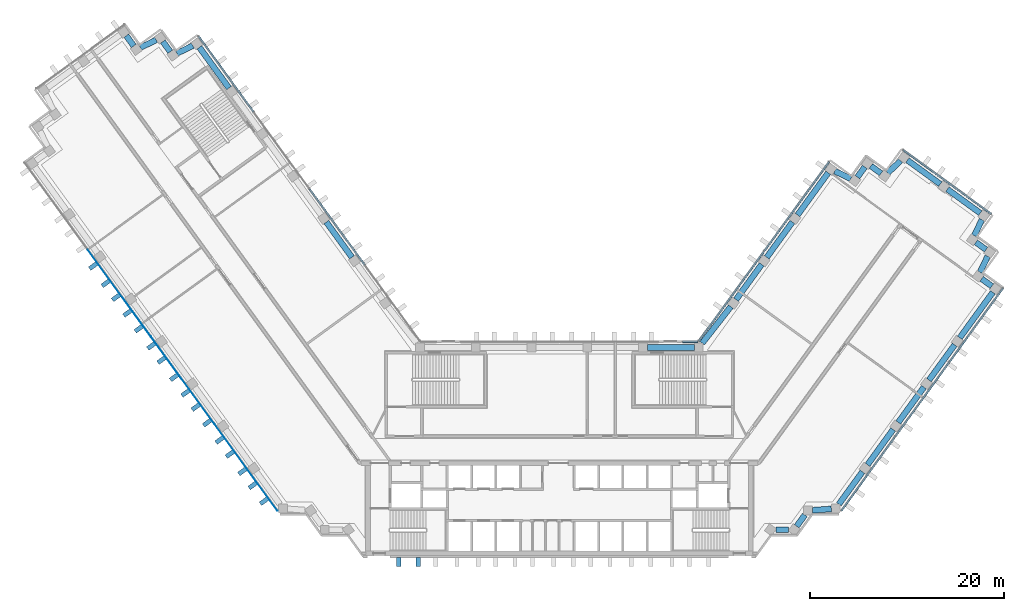
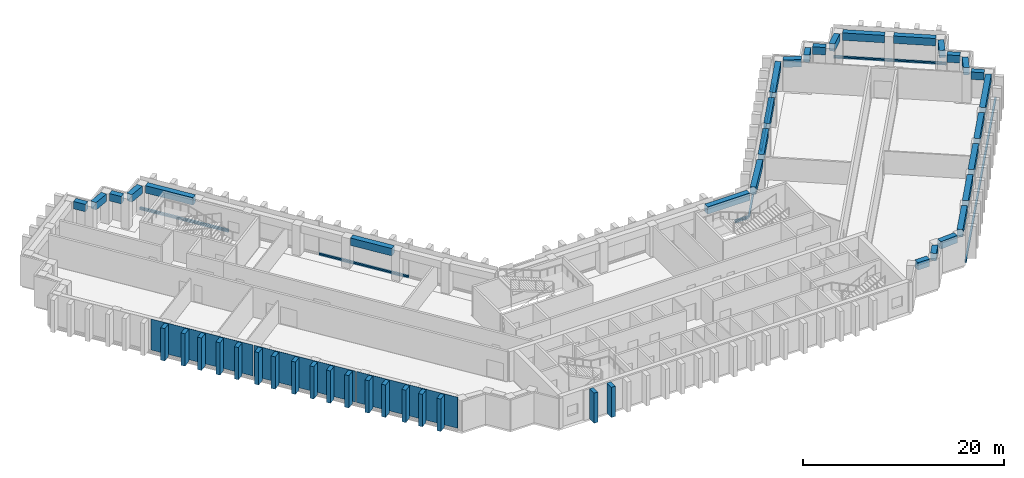
"""IFC4 building model written with IfcOpenShell, lengths in metres."""

from ifc_helpers import new_model, si_unit, direction, frame, origin, origin_2d, place, context, subcontext, project, spatial, rectangle, extrude, material, layer, layer_set, material_profile, profile_set, type_object, element, aggregate, save


model = new_model("IFC4")

# Units and contexts
model_context = context("Model", 3, precision=1e-05, world=origin(), true_north=direction((0.0, 1.0)))
body_context = subcontext(model_context, "Body", "Model", "MODEL_VIEW")
ifc_project = project(units=[si_unit("LENGTHUNIT", "METRE"), si_unit("AREAUNIT", "SQUARE_METRE"), si_unit("VOLUMEUNIT", "CUBIC_METRE"), si_unit("PLANEANGLEUNIT", "RADIAN"), si_unit("MASSUNIT", "GRAM", prefix="KILO")], contexts=[model_context])

# Site, building, storey
site_placement = place(None, origin())
site = spatial("IfcSite", under=ifc_project, at=site_placement, CompositionType="ELEMENT")
building_placement = place(site_placement, origin())
building = spatial("IfcBuilding", under=site, at=building_placement, Name="Quipu Civic Tower", CompositionType="ELEMENT")
storey_1_placement = place(building_placement, frame((0.0, 0.0, 121.0)))
storey_1 = spatial("IfcBuildingStorey", under=building, at=storey_1_placement, Name="L28", CompositionType="ELEMENT", Elevation=121.0)

# Beams
ifc_material_1 = material(Name="Concrete C50/60", Category="concrete")
ifc_material_profile_1 = material_profile(ifc_material_1, rectangle(XDim=0.60009765625, YDim=0.89990234375, at=origin_2d()), Name="RC600x900")
ifc_profile_set_1 = profile_set([ifc_material_profile_1], Name="Concrete C50/60")
beam_type = type_object("IfcBeamType", Name="Spandrel beam RC 600x900 C50/60", PredefinedType="SPANDREL", material=ifc_profile_set_1)
beam_1_placement = place(storey_1_placement, frame((-21.411865234375, 19.807861328125, 3.199951171875), z_axis=(-0.587778073121, 0.809022210299, 0.0), x_axis=(-0.809022210299, -0.587778073121, 0.0)))
element("IfcBeam", 1, at=beam_1_placement, inside=storey_1, type_object=beam_type, Name="Spandrel beam L28 W-IN-02 to W-IN-03", PredefinedType="SPANDREL", context=body_context, shape_type="SweptSolid", body=[
    extrude(rectangle(XDim=0.60009765625, YDim=0.89990234375, at=origin_2d()), origin(), (0.0, 0.0, 1.0), 4.5),
])
beam_2_placement = place(storey_1_placement, frame((-34.107421875, 37.283203125, 3.199951171875), z_axis=(-0.587732861365, 0.80905505602, 0.0), x_axis=(-0.80905505602, -0.587732861365, 0.0)))
element("IfcBeam", 2, at=beam_2_placement, inside=storey_1, type_object=beam_type, Name="Spandrel beam L28 W-IN-06 to T-Wi.0-W50", PredefinedType="SPANDREL", context=body_context, shape_type="SweptSolid", body=[
    extrude(rectangle(XDim=0.60009765625, YDim=0.89990234375, at=origin_2d()), origin(), (0.0, 0.0, 1.0), 5.194580078125),
])
beam_3_placement = place(storey_1_placement, frame((-37.837890625, 41.65283203125, 3.199951171875), z_axis=(-0.90245397739, -0.430786279601, 0.0), x_axis=(0.430786279601, -0.90245397739, 0.0)))
element("IfcBeam", 3, at=beam_3_placement, inside=storey_1, type_object=beam_type, Name="Spandrel beam L28 T-Wi.0-W50 to T-Wi.1-W50", PredefinedType="SPANDREL", context=body_context, shape_type="SweptSolid", body=[
    extrude(rectangle(XDim=0.60009765625, YDim=0.89990234375, at=origin_2d()), origin(), (0.0, 0.0, 1.0), 1.83349609375),
])
beam_4_placement = place(storey_1_placement, frame((-40.170166015625, 41.02978515625, 3.199951171875), z_axis=(-0.588461937499, 0.808524921146, 0.0), x_axis=(-0.808524921146, -0.588461937499, 0.0)))
element("IfcBeam", 4, at=beam_4_placement, inside=storey_1, type_object=beam_type, Name="Spandrel beam L28 T-Wi.1-W50 to T-Wi.2-W50", PredefinedType="SPANDREL", context=body_context, shape_type="SweptSolid", body=[
    extrude(rectangle(XDim=0.60009765625, YDim=0.89990234375, at=origin_2d()), origin(), (0.0, 0.0, 1.0), 1.30029296875),
])
beam_5_placement = place(storey_1_placement, frame((-41.613037109375, 42.248046875, 3.199951171875), z_axis=(-0.902613270121, -0.430452418511, 0.0), x_axis=(0.430452418511, -0.902613270121, 0.0)))
element("IfcBeam", 5, at=beam_5_placement, inside=storey_1, type_object=beam_type, Name="Spandrel beam L28 T-Wi.2-W50 to T-Wi.3-W50", PredefinedType="SPANDREL", context=body_context, shape_type="SweptSolid", body=[
    extrude(rectangle(XDim=0.60009765625, YDim=0.89990234375, at=origin_2d()), origin(), (0.0, 0.0, 1.0), 1.826416015625),
])
beam_6_placement = place(storey_1_placement, frame((-43.939453125, 41.628662109375, 3.199951171875), z_axis=(-0.588383572423, 0.808581951136, 0.0), x_axis=(-0.808581951136, -0.588383572423, 0.0)))
element("IfcBeam", 6, at=beam_6_placement, inside=storey_1, type_object=beam_type, Name="Spandrel beam L28 T-Wi.3-W50 to T-Wi.4-W50", PredefinedType="SPANDREL", context=body_context, shape_type="SweptSolid", body=[
    extrude(rectangle(XDim=0.60009765625, YDim=0.89990234375, at=origin_2d()), origin(), (0.0, 0.0, 1.0), 1.3017578125),
])
beam_7_placement = place(storey_1_placement, frame((22.34814453125, -8.31494140625, 3.199951171875), z_axis=(1.0, 0.0, 0.0), x_axis=(0.0, 1.0, 0.0)))
element("IfcBeam", 7, at=beam_7_placement, inside=storey_1, type_object=beam_type, Name="Spandrel beam L28 J-Eo.1 to J-Eo.2", PredefinedType="SPANDREL", context=body_context, shape_type="SweptSolid", body=[
    extrude(rectangle(XDim=0.60009765625, YDim=0.89990234375, at=origin_2d()), origin(), (0.0, 0.0, 1.0), 1.33056640625),
])
beam_8_placement = place(storey_1_placement, frame((24.499755859375, -7.951171875, 3.199951171875), z_axis=(0.588433824377, 0.808545381738, 0.0), x_axis=(-0.808545381738, 0.588433824377, 0.0)))
element("IfcBeam", 8, at=beam_8_placement, inside=storey_1, type_object=beam_type, Name="Spandrel beam L28 J-Eo.2 to J-Eo.3", PredefinedType="SPANDREL", context=body_context, shape_type="SweptSolid", body=[
    extrude(rectangle(XDim=0.60009765625, YDim=0.89990234375, at=origin_2d()), origin(), (0.0, 0.0, 1.0), 1.439697265625),
])
beam_9_placement = place(storey_1_placement, frame((26.12451171875, -6.304443359375, 3.199951171875), z_axis=(0.997365981169, 0.072533437859, 0.0), x_axis=(-0.072533437859, 0.997365981169, 0.0)))
element("IfcBeam", 9, at=beam_9_placement, inside=storey_1, type_object=beam_type, Name="Spandrel beam L28 J-Eo.3 to J-Eo.4", PredefinedType="SPANDREL", context=body_context, shape_type="SweptSolid", body=[
    extrude(rectangle(XDim=0.60009765625, YDim=0.89990234375, at=origin_2d()), origin(), (0.0, 0.0, 1.0), 1.95556640625),
])
beam_10_placement = place(storey_1_placement, frame((28.85205078125, -5.679931640625, 3.199951171875), z_axis=(0.587750565781, 0.809042194464, 0.0), x_axis=(-0.809042194464, 0.587750565781, 0.0)))
element("IfcBeam", 10, at=beam_10_placement, inside=storey_1, type_object=beam_type, Name="Spandrel beam L28 J-Eo.4 to E-OUT-01", PredefinedType="SPANDREL", context=body_context, shape_type="SweptSolid", body=[
    extrude(rectangle(XDim=0.60009765625, YDim=0.89990234375, at=origin_2d()), origin(), (0.0, 0.0, 1.0), 4.13720703125),
])
beam_11_placement = place(storey_1_placement, frame((31.812744140625, -1.604736328125, 3.199951171875), z_axis=(0.587778073121, 0.809022210299, 0.0), x_axis=(-0.809022210299, 0.587778073121, 0.0)))
element("IfcBeam", 11, at=beam_11_placement, inside=storey_1, type_object=beam_type, Name="Spandrel beam L28 E-OUT-01 to E-OUT-02", PredefinedType="SPANDREL", context=body_context, shape_type="SweptSolid", body=[
    extrude(rectangle(XDim=0.60009765625, YDim=0.89990234375, at=origin_2d()), origin(), (0.0, 0.0, 1.0), 4.5),
])
beam_12_placement = place(storey_1_placement, frame((34.98681640625, 2.76416015625, 3.199951171875), z_axis=(0.587803872688, 0.809003465539, 0.0), x_axis=(-0.809003465539, 0.587803872688, 0.0)))
element("IfcBeam", 12, at=beam_12_placement, inside=storey_1, type_object=beam_type, Name="Spandrel beam L28 E-OUT-02 to E-OUT-03", PredefinedType="SPANDREL", context=body_context, shape_type="SweptSolid", body=[
    extrude(rectangle(XDim=0.60009765625, YDim=0.89990234375, at=origin_2d()), origin(), (0.0, 0.0, 1.0), 4.499755859375),
])
beam_13_placement = place(storey_1_placement, frame((38.160888671875, 7.1328125, 3.199951171875), z_axis=(0.587778073121, 0.809022210299, 0.0), x_axis=(-0.809022210299, 0.587778073121, 0.0)))
element("IfcBeam", 13, at=beam_13_placement, inside=storey_1, type_object=beam_type, Name="Spandrel beam L28 E-OUT-03 to E-OUT-04", PredefinedType="SPANDREL", context=body_context, shape_type="SweptSolid", body=[
    extrude(rectangle(XDim=0.60009765625, YDim=0.89990234375, at=origin_2d()), origin(), (0.0, 0.0, 1.0), 4.5),
])
beam_14_placement = place(storey_1_placement, frame((41.3349609375, 11.50146484375, 3.199951171875), z_axis=(0.587766353983, 0.809030724463, 0.0), x_axis=(-0.809030724463, 0.587766353983, 0.0)))
element("IfcBeam", 14, at=beam_14_placement, inside=storey_1, type_object=beam_type, Name="Spandrel beam L28 E-OUT-04 to T-Eo.0-E34", PredefinedType="SPANDREL", context=body_context, shape_type="SweptSolid", body=[
    extrude(rectangle(XDim=0.60009765625, YDim=0.89990234375, at=origin_2d()), origin(), (0.0, 0.0, 1.0), 5.802734375),
])
beam_15_placement = place(storey_1_placement, frame((44.646240234375, 16.82470703125, 3.199951171875), z_axis=(-0.808524921146, 0.588461937499, 0.0), x_axis=(-0.588461937499, -0.808524921146, 0.0)))
element("IfcBeam", 15, at=beam_15_placement, inside=storey_1, type_object=beam_type, Name="Spandrel beam L28 T-Eo.0-E34 to T-Eo.1-E34", PredefinedType="SPANDREL", context=body_context, shape_type="SweptSolid", body=[
    extrude(rectangle(XDim=0.60009765625, YDim=0.89990234375, at=origin_2d()), origin(), (0.0, 0.0, 1.0), 1.30029296875),
])
beam_16_placement = place(storey_1_placement, frame((43.42822265625, 18.267578125, 3.199951171875), z_axis=(0.430677818234, 0.902505743406, 0.0), x_axis=(-0.902505743406, 0.430677818234, 0.0)))
element("IfcBeam", 16, at=beam_16_placement, inside=storey_1, type_object=beam_type, Name="Spandrel beam L28 T-Eo.1-E34 to T-Eo.2-E34", PredefinedType="SPANDREL", context=body_context, shape_type="SweptSolid", body=[
    extrude(rectangle(XDim=0.60009765625, YDim=0.89990234375, at=origin_2d()), origin(), (0.0, 0.0, 1.0), 1.833251953125),
])
beam_17_placement = place(storey_1_placement, frame((44.05078125, 20.59912109375, 3.199951171875), z_axis=(-0.809393823939, 0.587266240959, 0.0), x_axis=(-0.587266240959, -0.809393823939, 0.0)))
element("IfcBeam", 17, at=beam_17_placement, inside=storey_1, type_object=beam_type, Name="Spandrel beam L28 T-Eo.2-E34 to T-Eo.3-E34", PredefinedType="SPANDREL", context=body_context, shape_type="SweptSolid", body=[
    extrude(rectangle(XDim=0.60009765625, YDim=0.89990234375, at=origin_2d()), origin(), (0.0, 0.0, 1.0), 1.299072265625),
])
beam_18_placement = place(storey_1_placement, frame((42.83154296875, 22.03955078125, 3.199951171875), z_axis=(0.429892146977, 0.902880247856, 0.0), x_axis=(-0.902880247856, 0.429892146977, 0.0)))
element("IfcBeam", 18, at=beam_18_placement, inside=storey_1, type_object=beam_type, Name="Spandrel beam L28 T-Eo.3-E34 to T-Eo.4-E34", PredefinedType="SPANDREL", context=body_context, shape_type="SweptSolid", body=[
    extrude(rectangle(XDim=0.60009765625, YDim=0.89990234375, at=origin_2d()), origin(), (0.0, 0.0, 1.0), 1.829833984375),
])
beam_19_placement = place(storey_1_placement, frame((43.450927734375, 24.36962890625, 3.199951171875), z_axis=(-0.808987489375, 0.587825860298, 0.0), x_axis=(-0.587825860298, -0.808987489375, 0.0)))
element("IfcBeam", 19, at=beam_19_placement, inside=storey_1, type_object=beam_type, Name="Spandrel beam L28 T-Eo.4-E34 to TIP-E-01-E34", PredefinedType="SPANDREL", context=body_context, shape_type="SweptSolid", body=[
    extrude(rectangle(XDim=0.60009765625, YDim=0.89990234375, at=origin_2d()), origin(), (0.0, 0.0, 1.0), 4.1982421875),
])
beam_20_placement = place(storey_1_placement, frame((39.32666015625, 27.366455078125, 3.199951171875), z_axis=(-0.808969789945, 0.58785021813, 0.0), x_axis=(-0.58785021813, -0.808969789945, 0.0)))
element("IfcBeam", 20, at=beam_20_placement, inside=storey_1, type_object=beam_type, Name="Spandrel beam L28 TIP-E-01-E34 to T-Ei.0-E34", PredefinedType="SPANDREL", context=body_context, shape_type="SweptSolid", body=[
    extrude(rectangle(XDim=0.60009765625, YDim=0.89990234375, at=origin_2d()), origin(), (0.0, 0.0, 1.0), 4.199951171875),
])
beam_21_placement = place(storey_1_placement, frame((35.233154296875, 29.784912109375, 3.199951171875), z_axis=(-0.725209203815, -0.688528583795, 0.0), x_axis=(0.688528583795, -0.725209203815, 0.0)))
element("IfcBeam", 21, at=beam_21_placement, inside=storey_1, type_object=beam_type, Name="Spandrel beam L28 T-Ei.0-E34 to T-Ei.1-E34", PredefinedType="SPANDREL", context=body_context, shape_type="SweptSolid", body=[
    extrude(rectangle(XDim=0.60009765625, YDim=0.89990234375, at=origin_2d()), origin(), (0.0, 0.0, 1.0), 1.830322265625),
])
beam_22_placement = place(storey_1_placement, frame((33.209716796875, 28.4736328125, 3.199951171875), z_axis=(-0.809402563526, 0.587254195521, 0.0), x_axis=(-0.587254195521, -0.809402563526, 0.0)))
element("IfcBeam", 22, at=beam_22_placement, inside=storey_1, type_object=beam_type, Name="Spandrel beam L28 T-Ei.1-E34 to T-Ei.2-E34", PredefinedType="SPANDREL", context=body_context, shape_type="SweptSolid", body=[
    extrude(rectangle(XDim=0.60009765625, YDim=0.89990234375, at=origin_2d()), origin(), (0.0, 0.0, 1.0), 1.2978515625),
])
beam_23_placement = place(storey_1_placement, frame((31.52978515625, 29.136474609375, 3.199951171875), z_axis=(-0.589187485143, -0.80799635355, 0.0), x_axis=(0.80799635355, -0.589187485143, 0.0)))
element("IfcBeam", 23, at=beam_23_placement, inside=storey_1, type_object=beam_type, Name="Spandrel beam L28 T-Ei.2-E34 to T-Ei.3-E34", PredefinedType="SPANDREL", context=body_context, shape_type="SweptSolid", body=[
    extrude(rectangle(XDim=0.60009765625, YDim=0.89990234375, at=origin_2d()), origin(), (0.0, 0.0, 1.0), 1.2998046875),
])
beam_24_placement = place(storey_1_placement, frame((30.085693359375, 27.919677734375, 3.199951171875), z_axis=(-0.902567013751, 0.430549399823, 0.0), x_axis=(-0.430549399823, -0.902567013751, 0.0)))
element("IfcBeam", 24, at=beam_24_placement, inside=storey_1, type_object=beam_type, Name="Spandrel beam L28 T-Ei.3-E34 to T-Ei.4-E34", PredefinedType="SPANDREL", context=body_context, shape_type="SweptSolid", body=[
    extrude(rectangle(XDim=0.60009765625, YDim=0.89990234375, at=origin_2d()), origin(), (0.0, 0.0, 1.0), 1.8310546875),
])
beam_25_placement = place(storey_1_placement, frame((27.755615234375, 28.541015625, 3.199951171875), z_axis=(-0.58767640123, -0.809096068114, 0.0), x_axis=(0.809096068114, -0.58767640123, 0.0)))
element("IfcBeam", 25, at=beam_25_placement, inside=storey_1, type_object=beam_type, Name="Spandrel beam L28 T-Ei.4-E34 to E-IN-03", PredefinedType="SPANDREL", context=body_context, shape_type="SweptSolid", body=[
    extrude(rectangle(XDim=0.60009765625, YDim=0.89990234375, at=origin_2d()), origin(), (0.0, 0.0, 1.0), 5.39404296875),
])
for number, where, z_axis, x_axis, name in (
    (26, (24.056884765625, 23.448486328125, 3.199951171875), (-0.587778073121, -0.809022210299, 0.0), (0.809022210299, -0.587778073121, 0.0), "Spandrel beam L28 E-IN-03 to E-IN-02"),
    (27, (20.8828125, 19.079833984375, 3.199951171875), (-0.587716763865, -0.809066749701, 0.0), (0.809066749701, -0.587716763865, 0.0), "Spandrel beam L28 E-IN-02 to E-IN-01"),
):
    element("IfcBeam", number, at=place(storey_1_placement, frame(where, z_axis=z_axis, x_axis=x_axis)), inside=storey_1, type_object=beam_type, Name=name, PredefinedType="SPANDREL", context=body_context, shape_type="SweptSolid", body=[
        extrude(rectangle(XDim=0.60009765625, YDim=0.89990234375, at=origin_2d()), origin(), (0.0, 0.0, 1.0), 4.5),
    ])
beam_26_placement = place(storey_1_placement, frame((17.6962890625, 14.72021484375, 3.199951171875), z_axis=(-0.616123961998, -0.787649200756, 0.0), x_axis=(0.787649200756, -0.616123961998, 0.0)))
element("IfcBeam", 28, at=beam_26_placement, inside=storey_1, type_object=beam_type, Name="Spandrel beam L28 E-IN-01 to J-Ei.0", PredefinedType="SPANDREL", context=body_context, shape_type="SweptSolid", body=[
    extrude(rectangle(XDim=0.60009765625, YDim=0.89990234375, at=origin_2d()), origin(), (0.0, 0.0, 1.0), 4.78662109375),
])
beam_27_placement = place(storey_1_placement, frame((13.9453125, 10.5, 3.199951171875), z_axis=(-1.0, 0.0, 0.0), x_axis=(0.0, -1.0, 0.0)))
element("IfcBeam", 29, at=beam_27_placement, inside=storey_1, type_object=beam_type, Name="Spandrel beam L28 J-Ei.0 to FRONT-01", PredefinedType="SPANDREL", context=body_context, shape_type="SweptSolid", body=[
    extrude(rectangle(XDim=0.60009765625, YDim=0.89990234375, at=origin_2d()), origin(), (0.0, 0.0, 1.0), 4.858154296875),
])

# Storey
storey_2_placement = place(building_placement, frame((0.0, 0.0, 113.0)))
storey_2 = spatial("IfcBuildingStorey", under=building, at=storey_2_placement, Name="L26", CompositionType="ELEMENT", Elevation=113.0)

# Curtain wall, members
ifc_material_2 = material(Name="Insulated glass unit", Category="glass")
curtain_wall_type = type_object("IfcCurtainWallType", Name="Office curtain wall CW1", PredefinedType="NOTDEFINED", material=ifc_material_2)
curtain_wall_1_placement = place(storey_2_placement, origin())
curtain_wall_1 = element("IfcCurtainWall", 30, at=curtain_wall_1_placement, inside=storey_2, type_object=curtain_wall_type, Name="Office curtain wall CW1 L25 run 1", PredefinedType="NOTDEFINED")
ifc_material_3 = material(Name="Anodised aluminium", Category="aluminium")
ifc_material_profile_2 = material_profile(ifc_material_3, rectangle(XDim=0.199951171875, YDim=0.159912109375, at=origin_2d()), Name="RECT 200x160")
ifc_profile_set_2 = profile_set([ifc_material_profile_2], Name="Anodised aluminium")
member_type = type_object("IfcMemberType", Name="Transom CW1", PredefinedType="USERDEFINED", material=ifc_profile_set_2)
member_1_placement = place(storey_1_placement, frame((-20.105224609375, 19.029296875, 0.0), z_axis=(-0.587793764301, 0.80901080997, 0.0), x_axis=(-0.80901080997, -0.587793764301, 0.0)))
member_1 = element("IfcMember", 31, at=member_1_placement, inside=storey_1, type_object=member_type, Name="CW1 transom 2.4", ObjectType="TRANSOM", PredefinedType="USERDEFINED", context=body_context, shape_type="SweptSolid", body=[
    extrude(rectangle(XDim=0.199951171875, YDim=0.159912109375, at=origin_2d()), origin(), (0.0, 0.0, 1.0), 9.680908203125),
])
member_2_placement = place(storey_1_placement, frame((-31.580078125, 34.822998046875, 0.0), z_axis=(-0.587775627857, 0.809023986849, 0.0), x_axis=(-0.809023986849, -0.587775627857, 0.0)))
member_2 = element("IfcMember", 32, at=member_2_placement, inside=storey_1, type_object=member_type, Name="CW1 transom 4.4", ObjectType="TRANSOM", PredefinedType="USERDEFINED", context=body_context, shape_type="SweptSolid", body=[
    extrude(rectangle(XDim=0.199951171875, YDim=0.159912109375, at=origin_2d()), origin(), (0.0, 0.0, 1.0), 9.64111328125),
])
aggregate(curtain_wall_1, [member_1, member_2])

curtain_wall_2_placement = place(storey_2_placement, origin())
curtain_wall_2 = element("IfcCurtainWall", 33, at=curtain_wall_2_placement, inside=storey_2, type_object=curtain_wall_type, Name="Office curtain wall CW1 L25 run 23", PredefinedType="NOTDEFINED")
member_3_placement = place(storey_1_placement, frame((29.10302734375, -6.35546875, 0.0), z_axis=(0.58777644589, 0.809023392528, 0.0), x_axis=(-0.809023392528, 0.58777644589, 0.0)))
member_3 = element("IfcMember", 34, at=member_3_placement, inside=storey_1, type_object=member_type, Name="CW1 transom 1.4", ObjectType="TRANSOM", PredefinedType="USERDEFINED", context=body_context, shape_type="SweptSolid", body=[
    extrude(rectangle(XDim=0.199951171875, YDim=0.159912109375, at=origin_2d()), origin(), (0.0, 0.0, 1.0), 9.40380859375),
])
member_4_placement = place(storey_1_placement, frame((34.67724609375, 1.317138671875, 0.0), z_axis=(0.587790407593, 0.809013248805, 0.0), x_axis=(-0.809013248805, 0.587790407593, 0.0)))
member_4 = element("IfcMember", 35, at=member_4_placement, inside=storey_1, type_object=member_type, Name="CW1 transom 2.4", ObjectType="TRANSOM", PredefinedType="USERDEFINED", context=body_context, shape_type="SweptSolid", body=[
    extrude(rectangle(XDim=0.199951171875, YDim=0.159912109375, at=origin_2d()), origin(), (0.0, 0.0, 1.0), 9.443359375),
])
member_5_placement = place(storey_1_placement, frame((40.275146484375, 9.02197265625, 0.0), z_axis=(0.58778879159, 0.809014422913, 0.0), x_axis=(-0.809014422913, 0.58778879159, 0.0)))
member_5 = element("IfcMember", 36, at=member_5_placement, inside=storey_1, type_object=member_type, Name="CW1 transom 3.4", ObjectType="TRANSOM", PredefinedType="USERDEFINED", context=body_context, shape_type="SweptSolid", body=[
    extrude(rectangle(XDim=0.199951171875, YDim=0.159912109375, at=origin_2d()), origin(), (0.0, 0.0, 1.0), 9.403564453125),
])
aggregate(curtain_wall_2, [member_3, member_4, member_5])

# Curtain wall, member
curtain_wall_3_placement = place(storey_2_placement, origin())
curtain_wall_3 = element("IfcCurtainWall", 37, at=curtain_wall_3_placement, inside=storey_2, type_object=curtain_wall_type, Name="Office curtain wall CW1 L25 run 25", PredefinedType="NOTDEFINED")
member_6_placement = place(storey_1_placement, frame((44.590087890625, 24.2841796875, 0.0), z_axis=(-0.809014959561, 0.587788052963, 0.0), x_axis=(-0.587788052963, -0.809014959561, 0.0)))
member_6 = element("IfcMember", 38, at=member_6_placement, inside=storey_1, type_object=member_type, Name="CW1 transom 1.4", ObjectType="TRANSOM", PredefinedType="USERDEFINED", context=body_context, shape_type="SweptSolid", body=[
    extrude(rectangle(XDim=0.199951171875, YDim=0.159912109375, at=origin_2d()), origin(), (0.0, 0.0, 1.0), 11.239990234375),
])
aggregate(curtain_wall_3, [member_6])

# Curtain wall, members
curtain_wall_4_placement = place(storey_2_placement, origin())
curtain_wall_4 = element("IfcCurtainWall", 39, at=curtain_wall_4_placement, inside=storey_2, type_object=curtain_wall_type, Name="Office curtain wall CW1 L25 run 30", PredefinedType="NOTDEFINED")
member_7_placement = place(storey_1_placement, frame((27.84228515625, 29.678466796875, 0.0), z_axis=(-0.587775682251, -0.809023947331, 0.0), x_axis=(0.809023947331, -0.587775682251, 0.0)))
member_7 = element("IfcMember", 40, at=member_7_placement, inside=storey_1, type_object=member_type, Name="CW1 transom 1.4", ObjectType="TRANSOM", PredefinedType="USERDEFINED", context=body_context, shape_type="SweptSolid", body=[
    extrude(rectangle(XDim=0.199951171875, YDim=0.159912109375, at=origin_2d()), origin(), (0.0, 0.0, 1.0), 11.402099609375),
])
member_8_placement = place(storey_1_placement, frame((21.09326171875, 20.38916015625, 0.0), z_axis=(-0.587799878401, -0.809006367683, 0.0), x_axis=(0.809006367683, -0.587799878401, 0.0)))
member_8 = element("IfcMember", 41, at=member_8_placement, inside=storey_1, type_object=member_type, Name="CW1 transom 2.4", ObjectType="TRANSOM", PredefinedType="USERDEFINED", context=body_context, shape_type="SweptSolid", body=[
    extrude(rectangle(XDim=0.199951171875, YDim=0.159912109375, at=origin_2d()), origin(), (0.0, 0.0, 1.0), 11.402099609375),
])
aggregate(curtain_wall_4, [member_7, member_8])

# Curtain wall, member
curtain_wall_5_placement = place(storey_2_placement, origin())
curtain_wall_5 = element("IfcCurtainWall", 42, at=curtain_wall_5_placement, inside=storey_2, type_object=curtain_wall_type, Name="Office curtain wall CW1 L25 run 31", PredefinedType="NOTDEFINED")
member_9_placement = place(storey_1_placement, frame((14.26416015625, 11.10009765625, 0.0), z_axis=(-1.0, 0.0, 0.0), x_axis=(0.0, -1.0, 0.0)))
member_9 = element("IfcMember", 43, at=member_9_placement, inside=storey_1, type_object=member_type, Name="CW1 transom 1.4", ObjectType="TRANSOM", PredefinedType="USERDEFINED", context=body_context, shape_type="SweptSolid", body=[
    extrude(rectangle(XDim=0.199951171875, YDim=0.159912109375, at=origin_2d()), origin(), (0.0, 0.0, 1.0), 1.529052734375),
])
aggregate(curtain_wall_5, [member_9])

# Storey
storey_3_placement = place(building_placement, frame((0.0, 0.0, 125.0)))
storey_3 = spatial("IfcBuildingStorey", under=building, at=storey_3_placement, Name="L29", CompositionType="ELEMENT", Elevation=125.0)

# Curtain wall, members
curtain_wall_6_placement = place(storey_3_placement, origin())
curtain_wall_6 = element("IfcCurtainWall", 44, at=curtain_wall_6_placement, inside=storey_3, type_object=curtain_wall_type, Name="Office curtain wall CW1 L28 run 1", PredefinedType="NOTDEFINED")
member_10_placement = place(storey_1_placement, frame((-20.105224609375, 19.029296875, 0.159912109375), z_axis=(-0.587793764301, 0.80901080997, 0.0), x_axis=(-0.80901080997, -0.587793764301, 0.0)))
member_10 = element("IfcMember", 45, at=member_10_placement, inside=storey_1, type_object=member_type, Name="CW1 transom 2.1", ObjectType="TRANSOM", PredefinedType="USERDEFINED", context=body_context, shape_type="SweptSolid", body=[
    extrude(rectangle(XDim=0.199951171875, YDim=0.159912109375, at=origin_2d()), origin(), (0.0, 0.0, 1.0), 9.680908203125),
])
member_11_placement = place(storey_1_placement, frame((-31.580078125, 34.822998046875, 0.159912109375), z_axis=(-0.587775627857, 0.809023986849, 0.0), x_axis=(-0.809023986849, -0.587775627857, 0.0)))
member_11 = element("IfcMember", 46, at=member_11_placement, inside=storey_1, type_object=member_type, Name="CW1 transom 4.1", ObjectType="TRANSOM", PredefinedType="USERDEFINED", context=body_context, shape_type="SweptSolid", body=[
    extrude(rectangle(XDim=0.199951171875, YDim=0.159912109375, at=origin_2d()), origin(), (0.0, 0.0, 1.0), 9.64111328125),
])
aggregate(curtain_wall_6, [member_10, member_11])

curtain_wall_7_placement = place(storey_3_placement, origin())
curtain_wall_7 = element("IfcCurtainWall", 47, at=curtain_wall_7_placement, inside=storey_3, type_object=curtain_wall_type, Name="Office curtain wall CW1 L28 run 23", PredefinedType="NOTDEFINED")
member_12_placement = place(storey_1_placement, frame((29.10302734375, -6.35546875, 0.159912109375), z_axis=(0.58777644589, 0.809023392528, 0.0), x_axis=(-0.809023392528, 0.58777644589, 0.0)))
member_12 = element("IfcMember", 48, at=member_12_placement, inside=storey_1, type_object=member_type, Name="CW1 transom 1.1", ObjectType="TRANSOM", PredefinedType="USERDEFINED", context=body_context, shape_type="SweptSolid", body=[
    extrude(rectangle(XDim=0.199951171875, YDim=0.159912109375, at=origin_2d()), origin(), (0.0, 0.0, 1.0), 9.40380859375),
])
member_13_placement = place(storey_1_placement, frame((34.67724609375, 1.317138671875, 0.159912109375), z_axis=(0.587790407593, 0.809013248805, 0.0), x_axis=(-0.809013248805, 0.587790407593, 0.0)))
member_13 = element("IfcMember", 49, at=member_13_placement, inside=storey_1, type_object=member_type, Name="CW1 transom 2.1", ObjectType="TRANSOM", PredefinedType="USERDEFINED", context=body_context, shape_type="SweptSolid", body=[
    extrude(rectangle(XDim=0.199951171875, YDim=0.159912109375, at=origin_2d()), origin(), (0.0, 0.0, 1.0), 9.443359375),
])
member_14_placement = place(storey_1_placement, frame((40.275146484375, 9.02197265625, 0.159912109375), z_axis=(0.58778879159, 0.809014422913, 0.0), x_axis=(-0.809014422913, 0.58778879159, 0.0)))
member_14 = element("IfcMember", 50, at=member_14_placement, inside=storey_1, type_object=member_type, Name="CW1 transom 3.1", ObjectType="TRANSOM", PredefinedType="USERDEFINED", context=body_context, shape_type="SweptSolid", body=[
    extrude(rectangle(XDim=0.199951171875, YDim=0.159912109375, at=origin_2d()), origin(), (0.0, 0.0, 1.0), 9.403564453125),
])
aggregate(curtain_wall_7, [member_12, member_13, member_14])

# Curtain wall, member
curtain_wall_8_placement = place(storey_3_placement, origin())
curtain_wall_8 = element("IfcCurtainWall", 51, at=curtain_wall_8_placement, inside=storey_3, type_object=curtain_wall_type, Name="Office curtain wall CW1 L28 run 25", PredefinedType="NOTDEFINED")
member_15_placement = place(storey_1_placement, frame((44.590087890625, 24.2841796875, 0.159912109375), z_axis=(-0.809014959561, 0.587788052963, 0.0), x_axis=(-0.587788052963, -0.809014959561, 0.0)))
member_15 = element("IfcMember", 52, at=member_15_placement, inside=storey_1, type_object=member_type, Name="CW1 transom 1.1", ObjectType="TRANSOM", PredefinedType="USERDEFINED", context=body_context, shape_type="SweptSolid", body=[
    extrude(rectangle(XDim=0.199951171875, YDim=0.159912109375, at=origin_2d()), origin(), (0.0, 0.0, 1.0), 11.239990234375),
])
aggregate(curtain_wall_8, [member_15])

# Curtain wall, members
curtain_wall_9_placement = place(storey_3_placement, origin())
curtain_wall_9 = element("IfcCurtainWall", 53, at=curtain_wall_9_placement, inside=storey_3, type_object=curtain_wall_type, Name="Office curtain wall CW1 L28 run 30", PredefinedType="NOTDEFINED")
member_16_placement = place(storey_1_placement, frame((27.84228515625, 29.678466796875, 0.159912109375), z_axis=(-0.587775682251, -0.809023947331, 0.0), x_axis=(0.809023947331, -0.587775682251, 0.0)))
member_16 = element("IfcMember", 54, at=member_16_placement, inside=storey_1, type_object=member_type, Name="CW1 transom 1.1", ObjectType="TRANSOM", PredefinedType="USERDEFINED", context=body_context, shape_type="SweptSolid", body=[
    extrude(rectangle(XDim=0.199951171875, YDim=0.159912109375, at=origin_2d()), origin(), (0.0, 0.0, 1.0), 11.402099609375),
])
member_17_placement = place(storey_1_placement, frame((21.09326171875, 20.38916015625, 0.159912109375), z_axis=(-0.587799878401, -0.809006367683, 0.0), x_axis=(0.809006367683, -0.587799878401, 0.0)))
member_17 = element("IfcMember", 55, at=member_17_placement, inside=storey_1, type_object=member_type, Name="CW1 transom 2.1", ObjectType="TRANSOM", PredefinedType="USERDEFINED", context=body_context, shape_type="SweptSolid", body=[
    extrude(rectangle(XDim=0.199951171875, YDim=0.159912109375, at=origin_2d()), origin(), (0.0, 0.0, 1.0), 11.402099609375),
])
aggregate(curtain_wall_9, [member_16, member_17])

# Curtain wall, member
curtain_wall_10_placement = place(storey_3_placement, origin())
curtain_wall_10 = element("IfcCurtainWall", 56, at=curtain_wall_10_placement, inside=storey_3, type_object=curtain_wall_type, Name="Office curtain wall CW1 L28 run 31", PredefinedType="NOTDEFINED")
member_18_placement = place(storey_1_placement, frame((14.26416015625, 11.10009765625, 0.159912109375), z_axis=(-1.0, 0.0, 0.0), x_axis=(0.0, -1.0, 0.0)))
member_18 = element("IfcMember", 57, at=member_18_placement, inside=storey_1, type_object=member_type, Name="CW1 transom 1.1", ObjectType="TRANSOM", PredefinedType="USERDEFINED", context=body_context, shape_type="SweptSolid", body=[
    extrude(rectangle(XDim=0.199951171875, YDim=0.159912109375, at=origin_2d()), origin(), (0.0, 0.0, 1.0), 1.529052734375),
])
aggregate(curtain_wall_10, [member_18])

# Curtain wall, plates
curtain_wall_11_placement = place(storey_3_placement, origin())
curtain_wall_11 = element("IfcCurtainWall", 58, at=curtain_wall_11_placement, inside=storey_3, type_object=curtain_wall_type, Name="Office curtain wall CW1 L28 run 11", PredefinedType="NOTDEFINED")
ifc_material_4 = material(Name="Insulated glass unit", Category="glass")
ifc_layer = layer(ifc_material_4, 0.028076171875)
ifc_layer_set = layer_set([ifc_layer], Name="Insulated glass unit")
plate_type_1 = type_object("IfcPlateType", Name="Glass panel CW1", PredefinedType="CURTAIN_PANEL", material=ifc_layer_set)
plate_1_placement = place(storey_1_placement, frame((-45.4296875, 16.11669921875, 0.240234375), z_axis=(0.0, 0.0, 1.0), x_axis=(0.587785559869, -0.809016770908, 0.0)))
plate_1 = element("IfcPlate", 59, at=plate_1_placement, inside=storey_1, type_object=plate_type_1, Name="CW1 panel 2.1", PredefinedType="CURTAIN_PANEL", context=body_context, shape_type="SweptSolid", body=[
    extrude(rectangle(XDim=11.062744140625, YDim=0.028076171875, at=origin_2d()), origin(), (0.0, 0.0, 1.0), 3.760009765625),
])
plate_2_placement = place(storey_1_placement, frame((-38.880126953125, 7.101806640625, 0.240234375), z_axis=(0.0, 0.0, 1.0), x_axis=(0.587785559869, -0.809016770908, 0.0)))
plate_2 = element("IfcPlate", 60, at=plate_2_placement, inside=storey_1, type_object=plate_type_1, Name="CW1 panel 3.1", PredefinedType="CURTAIN_PANEL", context=body_context, shape_type="SweptSolid", body=[
    extrude(rectangle(XDim=11.062744140625, YDim=0.028076171875, at=origin_2d()), origin(), (0.0, 0.0, 1.0), 3.760009765625),
])
plate_3_placement = place(storey_1_placement, frame((-32.342529296875, -1.896484375, 0.240234375), z_axis=(0.0, 0.0, 1.0), x_axis=(0.587785559869, -0.809016770908, 0.0)))
plate_3 = element("IfcPlate", 61, at=plate_3_placement, inside=storey_1, type_object=plate_type_1, Name="CW1 panel 4.1", PredefinedType="CURTAIN_PANEL", context=body_context, shape_type="SweptSolid", body=[
    extrude(rectangle(XDim=11.022705078125, YDim=0.028076171875, at=origin_2d()), origin(), (0.0, 0.0, 1.0), 3.760009765625),
])
aggregate(curtain_wall_11, [plate_1, plate_2, plate_3])

# Plates
ifc_material_5 = material(Name="Precast concrete C40/50", Category="concrete")
plate_type_2 = type_object("IfcPlateType", Name="Precast fin F1", PredefinedType="SHEET", material=ifc_material_5)
for number, where, z_axis, x_axis, name in (
    (62, (-48.13134765625, 18.899169921875, 0.080078125), (0.0, 0.0, 1.0), (0.587785716149, -0.809016657363, 0.0), "Precast fin F1 L28.11.7"),
    (63, (-46.838134765625, 17.119384765625, 0.080078125), (0.0, 0.0, 1.0), (0.587785716149, -0.809016657363, 0.0), "Precast fin F1 L28.11.8"),
    (64, (-45.7802734375, 15.6630859375, 0.080078125), (0.0, 0.0, 1.0), (0.587785716149, -0.809016657363, 0.0), "Precast fin F1 L28.11.9"),
    (65, (-44.6044921875, 14.045166015625, 0.080078125), (0.0, 0.0, 1.0), (0.587785716149, -0.809016657363, 0.0), "Precast fin F1 L28.11.10"),
    (66, (-43.428955078125, 12.427001953125, 0.080078125), (0.0, 0.0, 1.0), (0.587785716149, -0.809016657363, 0.0), "Precast fin F1 L28.11.11"),
    (67, (-42.135986328125, 10.647216796875, 0.080078125), (0.0, 0.0, 1.0), (0.587785716149, -0.809016657363, 0.0), "Precast fin F1 L28.11.12"),
    (68, (-41.077880859375, 9.191162109375, 0.080078125), (0.0, 0.0, 1.0), (0.587785716149, -0.809016657363, 0.0), "Precast fin F1 L28.11.13"),
    (69, (-39.78466796875, 7.4111328125, 0.080078125), (0.0, 0.0, 1.0), (0.587785716149, -0.809016657363, 0.0), "Precast fin F1 L28.11.14"),
    (70, (-38.609130859375, 5.793212890625, 0.080078125), (0.0, 0.0, 1.0), (0.587785716149, -0.809016657363, 0.0), "Precast fin F1 L28.11.15"),
    (71, (-37.55126953125, 4.3369140625, 0.080078125), (0.0, 0.0, 1.0), (0.587785716149, -0.809016657363, 0.0), "Precast fin F1 L28.11.16"),
    (72, (-36.37548828125, 2.718994140625, 0.080078125), (0.0, 0.0, 1.0), (0.587785716149, -0.809016657363, 0.0), "Precast fin F1 L28.11.17"),
    (73, (-35.08251953125, 0.93896484375, 0.080078125), (0.0, 0.0, 1.0), (0.587785716149, -0.809016657363, 0.0), "Precast fin F1 L28.11.18"),
    (74, (-34.0244140625, -0.51708984375, 0.080078125), (0.0, 0.0, 1.0), (0.587785716149, -0.809016657363, 0.0), "Precast fin F1 L28.11.19"),
    (75, (-32.731201171875, -2.296875, 0.080078125), (0.0, 0.0, 1.0), (0.587785716149, -0.809016657363, 0.0), "Precast fin F1 L28.11.20"),
    (76, (-31.67333984375, -3.753173828125, 0.080078125), (0.0, 0.0, 1.0), (0.587785716149, -0.809016657363, 0.0), "Precast fin F1 L28.11.21"),
    (77, (-30.497802734375, -5.371337890625, 0.080078125), (0.0, 0.0, 1.0), (0.587785716149, -0.809016657363, 0.0), "Precast fin F1 L28.11.22"),
):
    element("IfcPlate", number, at=place(storey_1_placement, frame(where, z_axis=z_axis, x_axis=x_axis)), inside=storey_1, type_object=plate_type_2, Name=name, PredefinedType="SHEET", context=body_context, shape_type="SweptSolid", body=[
        extrude(rectangle(XDim=0.449951171875, YDim=0.89990234375, at=origin_2d()), origin(), (0.0, 0.0, 1.0), 3.919921875),
    ])
for number, where, z_axis, x_axis, name in (
    (78, (-16.574951171875, -11.637939453125, 0.0), (0.0, 0.0, 1.0), (1.0, 0.0, 0.0), "Precast fin F1 L28.17.1"),
    (79, (-14.574951171875, -11.637939453125, 0.0), (0.0, 0.0, 1.0), (1.0, 0.0, 0.0), "Precast fin F1 L28.17.2"),
):
    element("IfcPlate", number, at=place(storey_1_placement, frame(where, z_axis=z_axis, x_axis=x_axis)), inside=storey_1, type_object=plate_type_2, Name=name, PredefinedType="SHEET", context=body_context, shape_type="SweptSolid", body=[
        extrude(rectangle(XDim=0.449951171875, YDim=0.89990234375, at=origin_2d()), origin(), (0.0, 0.0, 1.0), 3.64990234375),
    ])

save(model, "model.ifc")
